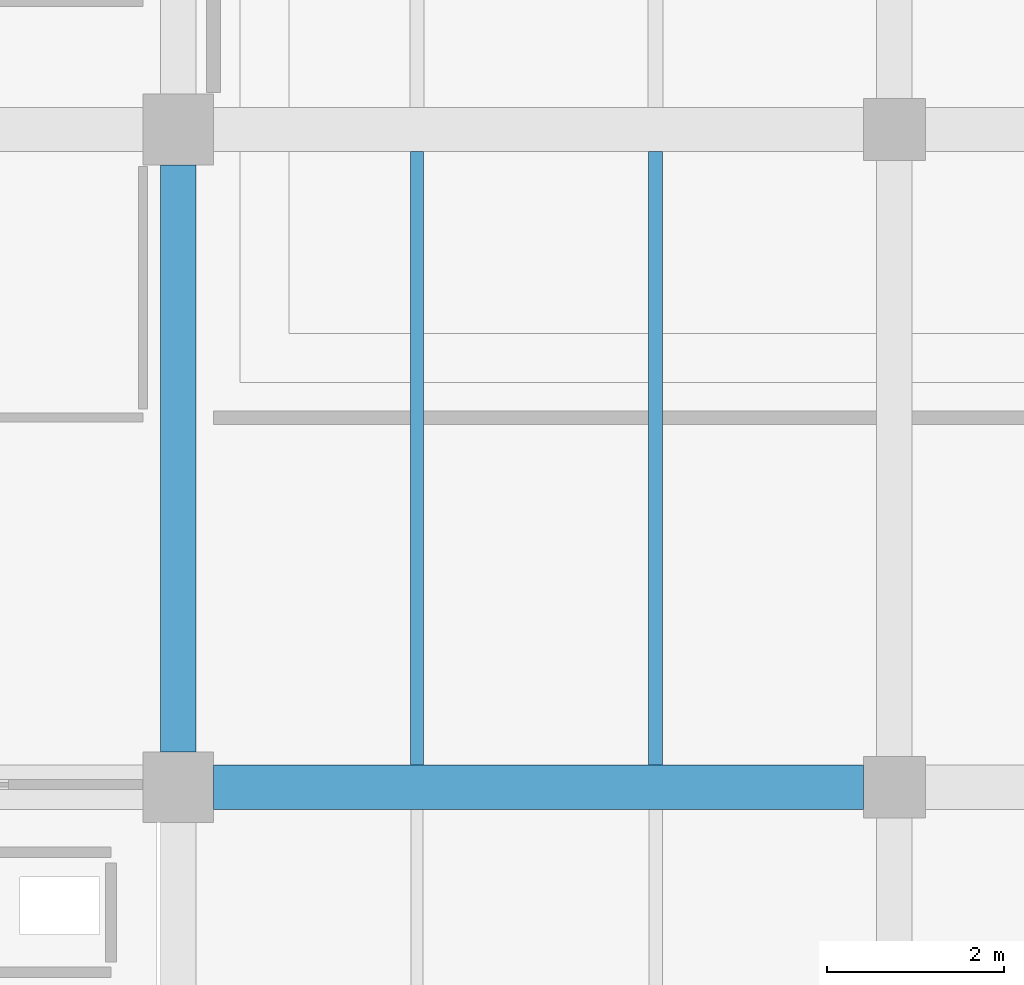
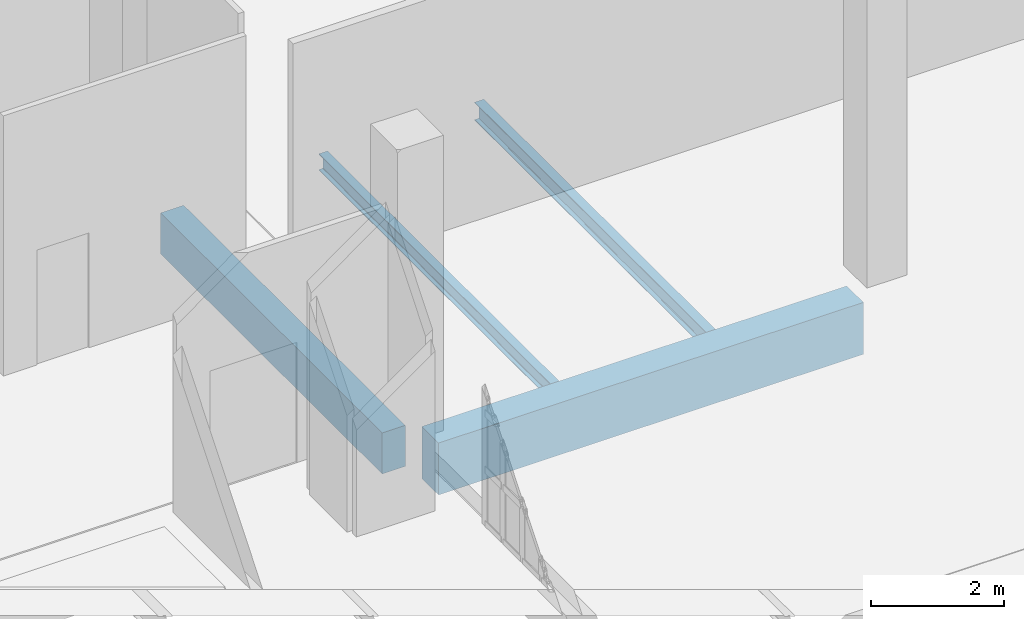
# One storey, part 241 of 372: 4 beams.
"""IFC4 building model written with IfcOpenShell, lengths in metres."""

from ifc_helpers import new_model, si_unit, direction, frame, origin, origin_2d, place, context, subcontext, project, spatial, rectangle, i_section, extrude, material, material_profile, profile_set, type_object, element, save


model = new_model("IFC4")

# Units and contexts
model_context = context("Model", 3, precision=1e-05, world=origin(), true_north=direction((0.0, 1.0)))
body_context = subcontext(model_context, "Body", "Model", "MODEL_VIEW")
ifc_project = project(units=[si_unit("LENGTHUNIT", "METRE"), si_unit("AREAUNIT", "SQUARE_METRE"), si_unit("VOLUMEUNIT", "CUBIC_METRE"), si_unit("PLANEANGLEUNIT", "RADIAN"), si_unit("MASSUNIT", "GRAM", prefix="KILO")], contexts=[model_context])

# Site, building, storey
site_placement = place(None, origin())
site = spatial("IfcSite", under=ifc_project, at=site_placement, CompositionType="ELEMENT")
building_placement = place(site_placement, origin())
building = spatial("IfcBuilding", under=site, at=building_placement, Name="Kaelora Sail Theatre", CompositionType="ELEMENT")
storey_placement = place(building_placement, origin())
storey = spatial("IfcBuildingStorey", under=building, at=storey_placement, Name="L00", CompositionType="ELEMENT", Elevation=0.0)

# Beams
ifc_material_1 = material(Name="Concrete C40/50", Category="concrete")
ifc_material_profile_1 = material_profile(ifc_material_1, rectangle(XDim=0.39990234375, YDim=0.75, at=origin_2d()), Name="RC-BM 400x750")
ifc_profile_set_1 = profile_set([ifc_material_profile_1], Name="Concrete C40/50")
beam_type_1 = type_object("IfcBeamType", Name="STR-BM-BM-RC4075", PredefinedType="BEAM", material=ifc_profile_set_1)
beam_1_placement = place(storey_placement, frame((123.0, 61.419921875, -0.695068359375), z_axis=(0.0, 1.0, 0.0), x_axis=(-1.0, 0.0, 0.0)))
element("IfcBeam", 1, at=beam_1_placement, inside=storey, type_object=beam_type_1, Name="Primary beam 16 I-J (L00)", PredefinedType="BEAM", context=body_context, shape_type="SweptSolid", body=[
    extrude(rectangle(XDim=0.39990234375, YDim=0.75, at=origin_2d()), origin(), (0.0, 0.0, 1.0), 6.64013671875),
])
ifc_material_2 = material(Name="Concrete C45/55", Category="concrete")
ifc_material_profile_2 = material_profile(ifc_material_2, rectangle(XDim=0.5, YDim=0.949951171875, at=origin_2d()), Name="RC-GRD 500x950")
ifc_profile_set_2 = profile_set([ifc_material_profile_2], Name="Concrete C45/55")
beam_type_2 = type_object("IfcBeamType", Name="STR-BM-GR-RC5095", PredefinedType="T_BEAM", material=ifc_profile_set_2)
beam_2_placement = place(storey_placement, frame((123.39990234375, 61.02001953125, -0.794921875), z_axis=(1.0, 0.0, 0.0), x_axis=(0.0, 1.0, 0.0)))
element("IfcBeam", 2, at=beam_2_placement, inside=storey, type_object=beam_type_2, Name="Primary beam I 16-17 (L00)", PredefinedType="T_BEAM", context=body_context, shape_type="SweptSolid", body=[
    extrude(rectangle(XDim=0.5, YDim=0.949951171875, at=origin_2d()), origin(), (0.0, 0.0, 1.0), 7.35009765625),
])
ifc_material_3 = material(Name="Steel S355", Category="steel")
ifc_material_profile_3 = material_profile(ifc_material_3, i_section(OverallWidth=0.14990234375, OverallDepth=0.300048828125, WebThickness=0.007080078125, FlangeThickness=0.0107421875, FilletRadius=0.014892578125, at=origin_2d()), Name="IPE 300")
ifc_profile_set_3 = profile_set([ifc_material_profile_3], Name="Steel S355")
beam_type_3 = type_object("IfcBeamType", Name="STR-BM-JS-IPE300", PredefinedType="JOIST", material=ifc_profile_set_3)
beam_3_placement = place(storey_placement, frame((125.699951171875, 61.27001953125, -0.469970703125), z_axis=(0.0, 1.0, 0.0), x_axis=(-1.0, 0.0, 0.0)))
element("IfcBeam", 3, at=beam_3_placement, inside=storey, type_object=beam_type_3, Name="Secondary floor joist 16/I-1 (L00)", PredefinedType="JOIST", context=body_context, shape_type="SweptSolid", body=[
    extrude(i_section(OverallWidth=0.14990234375, OverallDepth=0.300048828125, WebThickness=0.007080078125, FlangeThickness=0.0107421875, FilletRadius=0.014892578125, at=origin_2d()), origin(), (0.0, 0.0, 1.0), 6.93994140625),
])
ifc_material_4 = material(Name="Steel S355", Category="steel")
ifc_material_profile_4 = material_profile(ifc_material_4, i_section(OverallWidth=0.159912109375, OverallDepth=0.330078125, WebThickness=0.007568359375, FlangeThickness=0.011474609375, FilletRadius=0.01806640625, at=origin_2d()), Name="IPE 330")
ifc_profile_set_4 = profile_set([ifc_material_profile_4], Name="Steel S355")
beam_type_4 = type_object("IfcBeamType", Name="STR-BM-JS-IPE330", PredefinedType="JOIST", material=ifc_profile_set_4)
beam_4_placement = place(storey_placement, frame((128.39990234375, 61.27001953125, -0.485107421875), z_axis=(0.0, 1.0, 0.0), x_axis=(-1.0, 0.0, 0.0)))
element("IfcBeam", 4, at=beam_4_placement, inside=storey, type_object=beam_type_4, Name="Secondary floor joist 16/I-2 (L00)", PredefinedType="JOIST", context=body_context, shape_type="SweptSolid", body=[
    extrude(i_section(OverallWidth=0.159912109375, OverallDepth=0.330078125, WebThickness=0.007568359375, FlangeThickness=0.011474609375, FilletRadius=0.01806640625, at=origin_2d()), origin(), (0.0, 0.0, 1.0), 6.93994140625),
])

save(model, "model.ifc")
